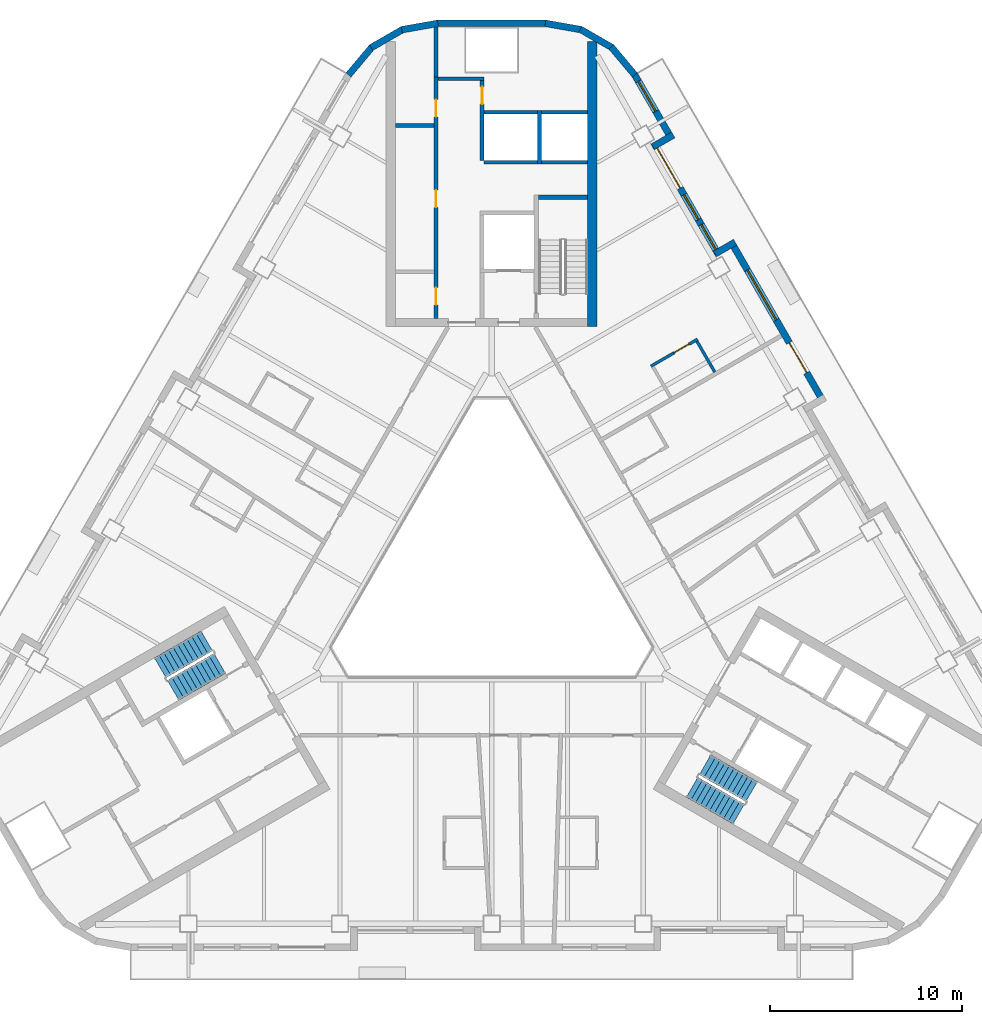
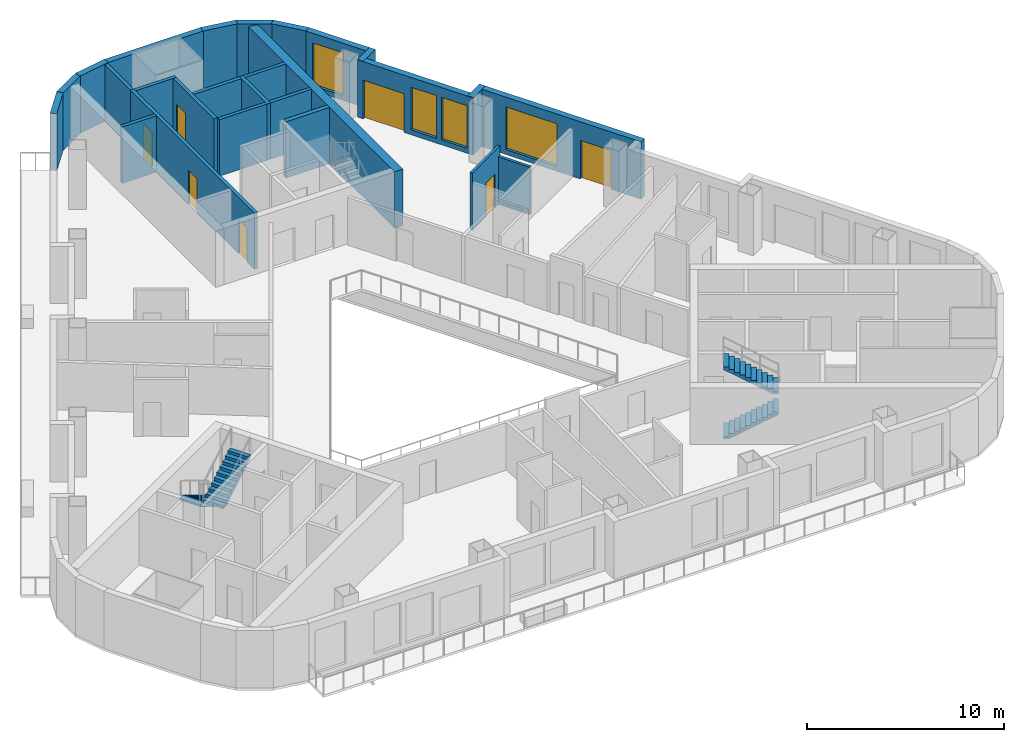
# One storey, part 7 of 14: 26 walls, 7 doors, 4 stair flights, 4 windows, 11 openings, 2 elements without a shape of their own.
"""IFC4 building model written with IfcOpenShell, lengths in metres."""

from ifc_helpers import new_model, si_unit, direction, frame, frame_2d, origin, place, context, subcontext, project, spatial, polyline, rectangle, outline, extrude, material, layer, layer_set, type_object, element, fill, aggregate, save


model = new_model("IFC4")

# Units and contexts
model_context = context("Model", 3, precision=1e-05, world=origin(), true_north=direction((0.0, 1.0)))
body_context = subcontext(model_context, "Body", "Model", "MODEL_VIEW")
ifc_project = project(units=[si_unit("LENGTHUNIT", "METRE"), si_unit("AREAUNIT", "SQUARE_METRE"), si_unit("VOLUMEUNIT", "CUBIC_METRE"), si_unit("PLANEANGLEUNIT", "RADIAN"), si_unit("MASSUNIT", "GRAM", prefix="KILO")], contexts=[model_context])

# Site, building, storey
site_placement = place(None, origin())
site = spatial("IfcSite", under=ifc_project, at=site_placement, CompositionType="ELEMENT")
building_placement = place(site_placement, origin())
building = spatial("IfcBuilding", under=site, at=building_placement, Name="Apuvela Tower Hotel", CompositionType="ELEMENT")
storey_placement = place(building_placement, frame((0.0, 0.0, 109.39990234375)))
storey = spatial("IfcBuildingStorey", under=building, at=storey_placement, Name="L25", CompositionType="ELEMENT", Elevation=109.39990234375)

# Walls
ifc_material_1 = material(Name="Concrete C50/60", Category="concrete")
ifc_layer_1 = layer(ifc_material_1, 0.5)
ifc_layer_set_1 = layer_set([ifc_layer_1], Name="COR-WALL-CORE-500")
wall_type_1 = type_object("IfcWallType", Name="COR-WALL-CORE-500", PredefinedType="SHEAR", material=ifc_layer_set_1)
wall_1_placement = place(storey_placement, frame((5.25, 12.89990234375, 0.0), z_axis=(0.0, 0.0, 1.0), x_axis=(0.0, 1.0, 0.0)))
element("IfcWall", 1, at=wall_1_placement, inside=storey, type_object=wall_type_1, Name="Core wall N", PredefinedType="SHEAR", context=body_context, shape_type="SweptSolid", body=[
    extrude(rectangle(XDim=14.8369140625, YDim=0.5, at=frame_2d((7.41845703125, 0.0))), origin(), (0.0, 0.0, 1.0), 3.5),
])
ifc_material_2 = material(Name="Blockwork 200 mm plastered", Category="masonry")
ifc_layer_2 = layer(ifc_material_2, 0.199951171875)
ifc_layer_set_2 = layer_set([ifc_layer_2], Name="COR-WALL-PART-200")
wall_type_2 = type_object("IfcWallType", Name="COR-WALL-PART-200", PredefinedType="PARTITIONING", material=ifc_layer_set_2)
wall_2_placement = place(storey_placement, frame((5.0, 21.449951171875, 0.0), z_axis=(0.0, 0.0, 1.0), x_axis=(-1.0, 0.0, 0.0)))
element("IfcWall", 2, at=wall_2_placement, inside=storey, type_object=wall_type_2, Name="Partition N", PredefinedType="PARTITIONING", context=body_context, shape_type="SweptSolid", body=[
    extrude(rectangle(XDim=2.39990234375, YDim=0.199951171875, at=frame_2d((1.199951171875, 0.0))), origin(), (0.0, 0.0, 1.0), 3.5),
])
wall_3_placement = place(storey_placement, frame((2.39990234375, 21.449951171875, 0.0), z_axis=(0.0, 0.0, 1.0), x_axis=(-1.0, 0.0, 0.0)))
element("IfcWall", 3, at=wall_3_placement, inside=storey, type_object=wall_type_2, Name="Partition N", PredefinedType="PARTITIONING", context=body_context, shape_type="SweptSolid", body=[
    extrude(rectangle(XDim=2.7998046875, YDim=0.199951171875, at=frame_2d((1.39990234375, 0.0))), origin(), (0.0, 0.0, 1.0), 3.5),
])

# Wall, openings, doors
ifc_layer_3 = layer(ifc_material_1, 0.199951171875)
ifc_layer_set_3 = layer_set([ifc_layer_3], Name="COR-WALL-SHAFT-200")
wall_type_3 = type_object("IfcWallType", Name="COR-WALL-SHAFT-200", PredefinedType="SHEAR", material=ifc_layer_set_3)
wall_4_placement = place(storey_placement, frame((-2.89990234375, 13.300048828125, 0.0), z_axis=(0.0, 0.0, 1.0), x_axis=(0.0, 1.0, 0.0)))
wall_4 = element("IfcWall", 4, at=wall_4_placement, inside=storey, type_object=wall_type_3, Name="Shaft wall N", PredefinedType="SHEAR", context=body_context, shape_type="SweptSolid", body=[
    extrude(rectangle(XDim=12.599853515625, YDim=0.199951171875, at=frame_2d((6.2998046875, 0.0))), origin(), (0.0, 0.0, 1.0), 3.5),
])
opening_1_placement = place(wall_4_placement, frame((0.719970703125, 0.0, 0.0)))
opening_1 = element("IfcOpeningElement", 5, at=opening_1_placement, cuts=wall_4, Name="Opening N-RE1", PredefinedType="OPENING", context=body_context, shape_type="SweptSolid", body=[
    extrude(rectangle(XDim=0.89990234375, YDim=2.10009765625, at=frame_2d((0.449951171875, 1.050048828125))), frame((0.0, 0.10986328125, 0.0), z_axis=(0.0, -1.0, 0.0), x_axis=(1.0, 0.0, 0.0)), (0.0, 0.0, 1.0), 0.219970703125),
])
opening_2_placement = place(wall_4_placement, frame((5.800048828125, 0.0, 0.0)))
opening_2 = element("IfcOpeningElement", 6, at=opening_2_placement, cuts=wall_4, Name="Opening N-RE2", PredefinedType="OPENING", context=body_context, shape_type="SweptSolid", body=[
    extrude(rectangle(XDim=0.89990234375, YDim=2.10009765625, at=frame_2d((0.449951171875, 1.050048828125))), frame((0.0, 0.10986328125, 0.0), z_axis=(0.0, -1.0, 0.0), x_axis=(1.0, 0.0, 0.0)), (0.0, 0.0, 1.0), 0.219970703125),
])
opening_3_placement = place(wall_4_placement, frame((10.510009765625, 0.0, 0.0)))
opening_3 = element("IfcOpeningElement", 7, at=opening_3_placement, cuts=wall_4, Name="Opening N-REP", PredefinedType="OPENING", context=body_context, shape_type="SweptSolid", body=[
    extrude(rectangle(XDim=0.89990234375, YDim=2.10009765625, at=frame_2d((0.449951171875, 1.050048828125))), frame((0.0, 0.10986328125, 0.0), z_axis=(0.0, -1.0, 0.0), x_axis=(1.0, 0.0, 0.0)), (0.0, 0.0, 1.0), 0.219970703125),
])
ifc_material_3 = material(Name="Steel fire door, powder coated", Category="steel")
door_type_1 = type_object("IfcDoorType", Name="COR-DR-900", OperationType="NOTDEFINED", PredefinedType="DOOR", material=ifc_material_3)
door_1_placement = place(opening_1_placement, origin())
door_1 = element("IfcDoor", 8, at=door_1_placement, inside=storey, type_object=door_type_1, Name="Store door N-RE1", OperationType="SINGLE_SWING_LEFT", OverallHeight=2.10009765625, OverallWidth=0.89990234375, PredefinedType="DOOR", context=body_context, shape_type="SweptSolid", body=[
    extrude(rectangle(XDim=0.89990234375, YDim=2.10009765625, at=frame_2d((0.449951171875, 1.050048828125))), frame((0.0, 0.02490234375, 0.0), z_axis=(0.0, -1.0, 0.0), x_axis=(1.0, 0.0, 0.0)), (0.0, 0.0, 1.0), 0.050048828125),
])
fill(opening_1, door_1)
door_2_placement = place(opening_2_placement, origin())
door_2 = element("IfcDoor", 9, at=door_2_placement, inside=storey, type_object=door_type_1, Name="Store door N-RE2", OperationType="SINGLE_SWING_RIGHT", OverallHeight=2.10009765625, OverallWidth=0.89990234375, PredefinedType="DOOR", context=body_context, shape_type="SweptSolid", body=[
    extrude(rectangle(XDim=0.89990234375, YDim=2.10009765625, at=frame_2d((0.449951171875, 1.050048828125))), frame((0.0, 0.02490234375, 0.0), z_axis=(0.0, -1.0, 0.0), x_axis=(1.0, 0.0, 0.0)), (0.0, 0.0, 1.0), 0.050048828125),
])
fill(opening_2, door_2)
door_3_placement = place(opening_3_placement, origin())
door_3 = element("IfcDoor", 10, at=door_3_placement, inside=storey, type_object=door_type_1, Name="Store door N-REP", OperationType="SINGLE_SWING_RIGHT", OverallHeight=2.10009765625, OverallWidth=0.89990234375, PredefinedType="DOOR", context=body_context, shape_type="SweptSolid", body=[
    extrude(rectangle(XDim=0.89990234375, YDim=2.10009765625, at=frame_2d((0.449951171875, 1.050048828125))), frame((0.0, 0.02490234375, 0.0), z_axis=(0.0, -1.0, 0.0), x_axis=(1.0, 0.0, 0.0)), (0.0, 0.0, 1.0), 0.050048828125),
])
fill(opening_3, door_3)

# Wall
wall_5_placement = place(storey_placement, frame((-0.39990234375, 25.800048828125, 0.0), z_axis=(0.0, 0.0, 1.0), x_axis=(-1.0, 0.0, 0.0)))
element("IfcWall", 11, at=wall_5_placement, inside=storey, type_object=wall_type_3, Name="Shaft wall N", PredefinedType="SHEAR", context=body_context, shape_type="SweptSolid", body=[
    extrude(rectangle(XDim=2.400146484375, YDim=0.199951171875, at=frame_2d((1.2001953125, 0.0))), origin(), (0.0, 0.0, 1.0), 3.5),
])

# Wall, opening, door
wall_6_placement = place(storey_placement, frame((-0.5, 21.550048828125, 0.0), z_axis=(0.0, 0.0, 1.0), x_axis=(0.0, 1.0, 0.0)))
wall_6 = element("IfcWall", 12, at=wall_6_placement, inside=storey, type_object=wall_type_3, Name="Shaft wall N", PredefinedType="SHEAR", context=body_context, shape_type="SweptSolid", body=[
    extrude(rectangle(XDim=4.14990234375, YDim=0.199951171875, at=frame_2d((2.074951171875, 0.0))), origin(), (0.0, 0.0, 1.0), 3.5),
])
opening_4_placement = place(wall_6_placement, frame((2.925048828125, 0.0, 0.0)))
opening_4 = element("IfcOpeningElement", 13, at=opening_4_placement, cuts=wall_6, Name="Opening N-RSP", PredefinedType="OPENING", context=body_context, shape_type="SweptSolid", body=[
    extrude(rectangle(XDim=0.89990234375, YDim=2.10009765625, at=frame_2d((0.449951171875, 1.050048828125))), frame((0.0, 0.10986328125, 0.0), z_axis=(0.0, -1.0, 0.0), x_axis=(1.0, 0.0, 0.0)), (0.0, 0.0, 1.0), 0.219970703125),
])
door_4_placement = place(opening_4_placement, frame((0.89990234375, 0.0, 0.0), z_axis=(0.0, 0.0, 1.0), x_axis=(-1.0, 0.0, 0.0)))
door_4 = element("IfcDoor", 14, at=door_4_placement, inside=storey, type_object=door_type_1, Name="Store door N-RSP", OperationType="SINGLE_SWING_LEFT", OverallHeight=2.10009765625, OverallWidth=0.89990234375, PredefinedType="DOOR", context=body_context, shape_type="SweptSolid", body=[
    extrude(rectangle(XDim=0.89990234375, YDim=2.10009765625, at=frame_2d((0.449951171875, 1.050048828125))), frame((0.0, 0.02490234375, 0.0), z_axis=(0.0, -1.0, 0.0), x_axis=(1.0, 0.0, 0.0)), (0.0, 0.0, 1.0), 0.050048828125),
])
fill(opening_4, door_4)

# Walls
wall_7_placement = place(storey_placement, frame((-3.0, 23.360107421875, 0.0), z_axis=(0.0, 0.0, 1.0), x_axis=(-1.0, 0.0, 0.0)))
element("IfcWall", 15, at=wall_7_placement, inside=storey, type_object=wall_type_3, Name="Shaft wall N", PredefinedType="SHEAR", context=body_context, shape_type="SweptSolid", body=[
    extrude(rectangle(XDim=2.0, YDim=0.199951171875, at=frame_2d((1.0, 0.0))), origin(), (0.0, 0.0, 1.0), 3.5),
])
wall_8_placement = place(storey_placement, frame((-2.89990234375, 25.89990234375, 0.0), z_axis=(0.0, 0.0, 1.0), x_axis=(0.0, 1.0, 0.0)))
element("IfcWall", 16, at=wall_8_placement, inside=storey, type_object=wall_type_3, Name="Shaft wall N", PredefinedType="SHEAR", context=body_context, shape_type="SweptSolid", body=[
    extrude(rectangle(XDim=2.60009765625, YDim=0.199951171875, at=frame_2d((1.300048828125, 0.0))), origin(), (0.0, 0.0, 1.0), 3.5),
])
wall_9_placement = place(storey_placement, frame((2.5, 21.35009765625, 0.0), z_axis=(0.0, 0.0, 1.0), x_axis=(0.0, 1.0, 0.0)))
element("IfcWall", 17, at=wall_9_placement, inside=storey, type_object=wall_type_3, Name="Shaft wall N", PredefinedType="SHEAR", context=body_context, shape_type="SweptSolid", body=[
    extrude(rectangle(XDim=2.7998046875, YDim=0.199951171875, at=frame_2d((1.39990234375, 0.0))), origin(), (0.0, 0.0, 1.0), 3.5),
])
wall_10_placement = place(storey_placement, frame((5.0, 24.050048828125, 0.0), z_axis=(0.0, 0.0, 1.0), x_axis=(-1.0, 0.0, 0.0)))
element("IfcWall", 18, at=wall_10_placement, inside=storey, type_object=wall_type_3, Name="Shaft wall N", PredefinedType="SHEAR", context=body_context, shape_type="SweptSolid", body=[
    extrude(rectangle(XDim=2.39990234375, YDim=0.199951171875, at=frame_2d((1.199951171875, 0.0))), origin(), (0.0, 0.0, 1.0), 3.5),
])
wall_11_placement = place(storey_placement, frame((2.39990234375, 24.050048828125, 0.0), z_axis=(0.0, 0.0, 1.0), x_axis=(-1.0, 0.0, 0.0)))
element("IfcWall", 19, at=wall_11_placement, inside=storey, type_object=wall_type_3, Name="Shaft wall N", PredefinedType="SHEAR", context=body_context, shape_type="SweptSolid", body=[
    extrude(rectangle(XDim=2.7998046875, YDim=0.199951171875, at=frame_2d((1.39990234375, 0.0))), origin(), (0.0, 0.0, 1.0), 3.5),
])
ifc_layer_4 = layer(ifc_material_1, 0.25)
ifc_layer_set_4 = layer_set([ifc_layer_4], Name="COR-WALL-STAIR-250")
wall_type_4 = type_object("IfcWallType", Name="COR-WALL-STAIR-250", PredefinedType="SHEAR", material=ifc_layer_set_4)
wall_12_placement = place(storey_placement, frame((5.0, 19.625, 0.0), z_axis=(0.0, 0.0, 1.0), x_axis=(-1.0, 0.0, 0.0)))
element("IfcWall", 20, at=wall_12_placement, inside=storey, type_object=wall_type_4, Name="Stair wall N", PredefinedType="SHEAR", context=body_context, shape_type="SweptSolid", body=[
    extrude(rectangle(XDim=2.550048828125, YDim=0.25, at=frame_2d((1.27490234375, 0.0))), origin(), (0.0, 0.0, 1.0), 3.5),
])

# Wall, openings, door, window
ifc_material_4 = material(Name="Concrete C40/50, dark pigmented precast panel", Category="concrete")
ifc_layer_5 = layer(ifc_material_4, 0.35009765625)
ifc_layer_set_5 = layer_set([ifc_layer_5], Name="ENV-WALL-350")
wall_type_5 = type_object("IfcWallType", Name="ENV-WALL-350", PredefinedType="SOLIDWALL", material=ifc_layer_set_5)
wall_13_placement = place(storey_placement, frame((17.298583984375, 8.947998046875, 0.0), z_axis=(0.0, 0.0, 1.0), x_axis=(-0.500010041276, 0.866019606374, 0.0)))
wall_13 = element("IfcWall", 21, at=wall_13_placement, inside=storey, type_object=wall_type_5, Name="External wall L25-37", PredefinedType="SOLIDWALL", context=body_context, shape_type="SweptSolid", body=[
    extrude(rectangle(XDim=9.699951171875, YDim=0.35009765625, at=frame_2d((4.85009765625, 0.0))), origin(), (0.0, 0.0, 1.0), 3.550048828125),
])
opening_5_placement = place(wall_13_placement, frame((1.77490234375, 0.0, 0.0)))
opening_5 = element("IfcOpeningElement", 22, at=opening_5_placement, cuts=wall_13, Name="Opening BD18", PredefinedType="OPENING", context=body_context, shape_type="SweptSolid", body=[
    extrude(rectangle(XDim=1.800048828125, YDim=2.39990234375, at=frame_2d((0.89990234375, 1.199951171875))), frame((0.0, 0.18505859375, 0.0), z_axis=(0.0, -1.0, 0.0), x_axis=(1.0, 0.0, 0.0)), (0.0, 0.0, 1.0), 0.3701171875),
])
opening_6_placement = place(wall_13_placement, frame((4.94921875, 0.0, 0.300048828125)))
opening_6 = element("IfcOpeningElement", 23, at=opening_6_placement, cuts=wall_13, Name="Opening WN30", PredefinedType="OPENING", context=body_context, shape_type="SweptSolid", body=[
    extrude(rectangle(XDim=3.0, YDim=2.64990234375, at=frame_2d((1.5, 1.324951171875))), frame((0.0, 0.18505859375, 0.0), z_axis=(0.0, -1.0, 0.0), x_axis=(1.0, 0.0, 0.0)), (0.0, 0.0, 1.0), 0.3701171875),
])
ifc_material_5 = material(Name="Aluminium 6063-T6, dark bronze anodised frame with dark tinted laminated glass", Category="aluminium")
door_type_2 = type_object("IfcDoorType", Name="ENV-DOOR-BALCONY-1800x2400", OperationType="SLIDING_TO_LEFT", PredefinedType="DOOR", material=ifc_material_5)
door_5_placement = place(opening_5_placement, frame((1.800048828125, 0.0, 0.0), z_axis=(0.0, 0.0, 1.0), x_axis=(-1.0, 0.0, 0.0)))
door_5 = element("IfcDoor", 24, at=door_5_placement, inside=storey, type_object=door_type_2, Name="Balcony door BD18", OperationType="SLIDING_TO_LEFT", OverallHeight=2.39990234375, OverallWidth=1.800048828125, PredefinedType="DOOR", context=body_context, shape_type="SweptSolid", body=[
    extrude(rectangle(XDim=1.800048828125, YDim=2.39990234375, at=frame_2d((0.89990234375, 1.199951171875))), frame((0.0, 0.02490234375, 0.0), z_axis=(0.0, -1.0, 0.0), x_axis=(1.0, 0.0, 0.0)), (0.0, 0.0, 1.0), 0.050048828125),
])
fill(opening_5, door_5)
ifc_material_6 = material(Name="Glass, dark tinted laminated insulated glazing unit", Category="glass")
window_type_1 = type_object("IfcWindowType", Name="ENV-WIN-3000x2650", PartitioningType="SINGLE_PANEL", PredefinedType="WINDOW", material=ifc_material_6)
window_1_placement = place(opening_6_placement, origin())
window_1 = element("IfcWindow", 25, at=window_1_placement, inside=storey, type_object=window_type_1, Name="Window WN30", OverallHeight=2.64990234375, OverallWidth=3.0, PartitioningType="SINGLE_PANEL", PredefinedType="WINDOW", context=body_context, shape_type="SweptSolid", body=[
    extrude(rectangle(XDim=3.0, YDim=2.64990234375, at=frame_2d((1.5, 1.324951171875))), frame((0.0, 0.030029296875, 0.0), z_axis=(0.0, -1.0, 0.0), x_axis=(1.0, 0.0, 0.0)), (0.0, 0.0, 1.0), 0.06005859375),
])
fill(opening_6, window_1)

# Wall
wall_14_placement = place(storey_placement, frame((12.6875, 17.284423828125, 0.0), z_axis=(0.0, 0.0, 1.0), x_axis=(-0.865955602162, -0.500120880472, 0.0)))
element("IfcWall", 26, at=wall_14_placement, inside=storey, type_object=wall_type_5, Name="External wall L25-38", PredefinedType="SOLIDWALL", context=body_context, shape_type="SweptSolid", body=[
    extrude(rectangle(XDim=1.219970703125, YDim=0.35009765625, at=frame_2d((0.60986328125, 0.0))), origin(), (0.0, 0.0, 1.0), 3.550048828125),
])

# Wall, openings, door, windows
wall_15_placement = place(storey_placement, frame((11.8291015625, 16.621337890625, 0.0), z_axis=(0.0, 0.0, 1.0), x_axis=(-0.500003597184, 0.866023326939, 0.0)))
wall_15 = element("IfcWall", 27, at=wall_15_placement, inside=storey, type_object=wall_type_5, Name="External wall L25-39", PredefinedType="SOLIDWALL", context=body_context, shape_type="SweptSolid", body=[
    extrude(rectangle(XDim=6.740234375, YDim=0.35009765625, at=frame_2d((3.3701171875, 0.0))), origin(), (0.0, 0.0, 1.0), 3.550048828125),
])
opening_7_placement = place(wall_15_placement, frame((4.01953125, 0.0, 0.0)))
opening_7 = element("IfcOpeningElement", 28, at=opening_7_placement, cuts=wall_15, Name="Opening BD24", PredefinedType="OPENING", context=body_context, shape_type="SweptSolid", body=[
    extrude(rectangle(XDim=2.39990234375, YDim=2.39990234375, at=frame_2d((1.199951171875, 1.199951171875))), frame((0.0, 0.18505859375, 0.0), z_axis=(0.0, -1.0, 0.0), x_axis=(1.0, 0.0, 0.0)), (0.0, 0.0, 1.0), 0.3701171875),
])
opening_8_placement = place(wall_15_placement, frame((0.320068359375, 0.0, 0.300048828125)))
opening_8 = element("IfcOpeningElement", 29, at=opening_8_placement, cuts=wall_15, Name="Opening WN15", PredefinedType="OPENING", context=body_context, shape_type="SweptSolid", body=[
    extrude(rectangle(XDim=1.5, YDim=2.64990234375, at=frame_2d((0.75, 1.324951171875))), frame((0.0, 0.18505859375, 0.0), z_axis=(0.0, -1.0, 0.0), x_axis=(1.0, 0.0, 0.0)), (0.0, 0.0, 1.0), 0.3701171875),
])
opening_9_placement = place(wall_15_placement, frame((2.1201171875, 0.0, 0.300048828125)))
opening_9 = element("IfcOpeningElement", 30, at=opening_9_placement, cuts=wall_15, Name="Opening WN15", PredefinedType="OPENING", context=body_context, shape_type="SweptSolid", body=[
    extrude(rectangle(XDim=1.5, YDim=2.64990234375, at=frame_2d((0.75, 1.324951171875))), frame((0.0, 0.18505859375, 0.0), z_axis=(0.0, -1.0, 0.0), x_axis=(1.0, 0.0, 0.0)), (0.0, 0.0, 1.0), 0.3701171875),
])
door_type_3 = type_object("IfcDoorType", Name="ENV-DOOR-BALCONY-2400x2400", OperationType="SLIDING_TO_LEFT", PredefinedType="DOOR", material=ifc_material_5)
door_6_placement = place(opening_7_placement, frame((2.39990234375, 0.0, 0.0), z_axis=(0.0, 0.0, 1.0), x_axis=(-1.0, 0.0, 0.0)))
door_6 = element("IfcDoor", 31, at=door_6_placement, inside=storey, type_object=door_type_3, Name="Balcony door BD24", OperationType="SLIDING_TO_LEFT", OverallHeight=2.39990234375, OverallWidth=2.39990234375, PredefinedType="DOOR", context=body_context, shape_type="SweptSolid", body=[
    extrude(rectangle(XDim=2.39990234375, YDim=2.39990234375, at=frame_2d((1.199951171875, 1.199951171875))), frame((0.0, 0.02490234375, 0.0), z_axis=(0.0, -1.0, 0.0), x_axis=(1.0, 0.0, 0.0)), (0.0, 0.0, 1.0), 0.050048828125),
])
fill(opening_7, door_6)
window_type_2 = type_object("IfcWindowType", Name="ENV-WIN-1500x2650", PartitioningType="SINGLE_PANEL", PredefinedType="WINDOW", material=ifc_material_6)
window_2_placement = place(opening_8_placement, origin())
window_2 = element("IfcWindow", 32, at=window_2_placement, inside=storey, type_object=window_type_2, Name="Window WN15", OverallHeight=2.64990234375, OverallWidth=1.5, PartitioningType="SINGLE_PANEL", PredefinedType="WINDOW", context=body_context, shape_type="SweptSolid", body=[
    extrude(rectangle(XDim=1.5, YDim=2.64990234375, at=frame_2d((0.75, 1.324951171875))), frame((0.0, 0.030029296875, 0.0), z_axis=(0.0, -1.0, 0.0), x_axis=(1.0, 0.0, 0.0)), (0.0, 0.0, 1.0), 0.06005859375),
])
fill(opening_8, window_2)
window_3_placement = place(opening_9_placement, origin())
window_3 = element("IfcWindow", 33, at=window_3_placement, inside=storey, type_object=window_type_2, Name="Window WN15", OverallHeight=2.64990234375, OverallWidth=1.5, PartitioningType="SINGLE_PANEL", PredefinedType="WINDOW", context=body_context, shape_type="SweptSolid", body=[
    extrude(rectangle(XDim=1.5, YDim=2.64990234375, at=frame_2d((0.75, 1.324951171875))), frame((0.0, 0.030029296875, 0.0), z_axis=(0.0, -1.0, 0.0), x_axis=(1.0, 0.0, 0.0)), (0.0, 0.0, 1.0), 0.06005859375),
])
fill(opening_9, window_3)

# Wall
wall_16_placement = place(storey_placement, frame((8.406005859375, 22.26025390625, 0.0), z_axis=(0.0, 0.0, 1.0), x_axis=(0.865955602162, 0.500120880472, 0.0)))
element("IfcWall", 34, at=wall_16_placement, inside=storey, type_object=wall_type_5, Name="External wall L25-40", PredefinedType="SOLIDWALL", context=body_context, shape_type="SweptSolid", body=[
    extrude(rectangle(XDim=1.219970703125, YDim=0.35009765625, at=frame_2d((0.60986328125, 0.0))), origin(), (0.0, 0.0, 1.0), 3.550048828125),
])

# Wall, opening, window
wall_17_placement = place(storey_placement, frame((9.3984375, 22.631103515625, 0.0), z_axis=(0.0, 0.0, 1.0), x_axis=(-0.499954521343, 0.866051659307, 0.0)))
wall_17 = element("IfcWall", 35, at=wall_17_placement, inside=storey, type_object=wall_type_5, Name="External wall L25-41", PredefinedType="SOLIDWALL", context=body_context, shape_type="SweptSolid", body=[
    extrude(rectangle(XDim=3.915771484375, YDim=0.35009765625, at=frame_2d((1.9580078125, 0.0))), origin(), (0.0, 0.0, 1.0), 3.550048828125),
])
opening_10_placement = place(wall_17_placement, frame((1.69970703125, 0.0, 0.300048828125)))
opening_10 = element("IfcOpeningElement", 36, at=opening_10_placement, cuts=wall_17, Name="Opening WN18", PredefinedType="OPENING", context=body_context, shape_type="SweptSolid", body=[
    extrude(rectangle(XDim=1.800048828125, YDim=2.64990234375, at=frame_2d((0.89990234375, 1.324951171875))), frame((0.0, 0.18505859375, 0.0), z_axis=(0.0, -1.0, 0.0), x_axis=(1.0, 0.0, 0.0)), (0.0, 0.0, 1.0), 0.3701171875),
])
window_type_3 = type_object("IfcWindowType", Name="ENV-WIN-1800x2650", PartitioningType="SINGLE_PANEL", PredefinedType="WINDOW", material=ifc_material_6)
window_4_placement = place(opening_10_placement, origin())
window_4 = element("IfcWindow", 37, at=window_4_placement, inside=storey, type_object=window_type_3, Name="Window WN18", OverallHeight=2.64990234375, OverallWidth=1.800048828125, PartitioningType="SINGLE_PANEL", PredefinedType="WINDOW", context=body_context, shape_type="SweptSolid", body=[
    extrude(rectangle(XDim=1.800048828125, YDim=2.64990234375, at=frame_2d((0.89990234375, 1.324951171875))), frame((0.0, 0.030029296875, 0.0), z_axis=(0.0, -1.0, 0.0), x_axis=(1.0, 0.0, 0.0)), (0.0, 0.0, 1.0), 0.06005859375),
])
fill(opening_10, window_4)

# Walls
wall_18_placement = place(storey_placement, frame((7.4580078125, 25.99755859375, 0.0), z_axis=(0.0, 0.0, 1.0), x_axis=(-0.642808304945, 0.766027077259, 0.0)))
element("IfcWall", 38, at=wall_18_placement, inside=storey, type_object=wall_type_5, Name="External wall L25-42", PredefinedType="SOLIDWALL", context=body_context, shape_type="SweptSolid", body=[
    extrude(rectangle(XDim=1.909912109375, YDim=0.35009765625, at=frame_2d((0.955078125, 0.0))), origin(), (0.0, 0.0, 1.0), 3.550048828125),
])
for number, where, z_axis, x_axis, name in (
    (39, (6.27685546875, 27.421630859375, 0.0), (0.0, 0.0, 1.0), (-0.866032345022, 0.499987977232, 0.0), "External wall L25-43"),
    (40, (4.6796875, 28.35595703125, 0.0), (0.0, 0.0, 1.0), (-0.984798995425, 0.173697837091, 0.0), "External wall L25-44"),
):
    element("IfcWall", number, at=place(storey_placement, frame(where, z_axis=z_axis, x_axis=x_axis)), inside=storey, type_object=wall_type_5, Name=name, PredefinedType="SOLIDWALL", context=body_context, shape_type="SweptSolid", body=[
        extrude(rectangle(XDim=1.91015625, YDim=0.35009765625, at=frame_2d((0.955078125, 0.0))), origin(), (0.0, 0.0, 1.0), 3.550048828125),
    ])
wall_19_placement = place(storey_placement, frame((2.8291015625, 28.68505859375, 0.0), z_axis=(0.0, 0.0, 1.0), x_axis=(-1.0, 0.0, 0.0)))
element("IfcWall", 41, at=wall_19_placement, inside=storey, type_object=wall_type_5, Name="External wall L25-45", PredefinedType="SOLIDWALL", context=body_context, shape_type="SweptSolid", body=[
    extrude(rectangle(XDim=5.658203125, YDim=0.35009765625, at=frame_2d((2.8291015625, 0.0))), origin(), (0.0, 0.0, 1.0), 3.550048828125),
])
for number, where, z_axis, x_axis, name in (
    (42, (-2.798583984375, 28.687744140625, 0.0), (0.0, 0.0, 1.0), (-0.984798995425, -0.173697837091, 0.0), "External wall L25-46"),
    (43, (-4.62255859375, 28.376708984375, 0.0), (0.0, 0.0, 1.0), (-0.866032345022, -0.499987977232, 0.0), "External wall L25-47"),
):
    element("IfcWall", number, at=place(storey_placement, frame(where, z_axis=z_axis, x_axis=x_axis)), inside=storey, type_object=wall_type_5, Name=name, PredefinedType="SOLIDWALL", context=body_context, shape_type="SweptSolid", body=[
        extrude(rectangle(XDim=1.91015625, YDim=0.35009765625, at=frame_2d((0.955078125, 0.0))), origin(), (0.0, 0.0, 1.0), 3.550048828125),
    ])
wall_20_placement = place(storey_placement, frame((-6.230224609375, 27.460693359375, 0.0), z_axis=(0.0, 0.0, 1.0), x_axis=(-0.642808304945, -0.766027077259, 0.0)))
element("IfcWall", 44, at=wall_20_placement, inside=storey, type_object=wall_type_5, Name="External wall L25-48", PredefinedType="SOLIDWALL", context=body_context, shape_type="SweptSolid", body=[
    extrude(rectangle(XDim=1.909912109375, YDim=0.35009765625, at=frame_2d((0.955078125, 0.0))), origin(), (0.0, 0.0, 1.0), 3.550048828125),
])

# Wall, opening, door
ifc_material_7 = material(Name="Moisture-resistant gypsum board wet wall on steel stud", Category="steel")
ifc_layer_6 = layer(ifc_material_7, 0.14990234375)
ifc_layer_set_6 = layer_set([ifc_layer_6], Name="GST-PW3")
wall_type_6 = type_object("IfcWallType", Name="GST-PW3", PredefinedType="PARTITIONING", material=ifc_layer_set_6)
wall_21_placement = place(storey_placement, frame((10.724365234375, 12.22509765625, 0.0), z_axis=(0.0, 0.0, 1.0), x_axis=(-0.866018616679, -0.500011755427, 0.0)))
wall_21 = element("IfcWall", 45, at=wall_21_placement, inside=storey, type_object=wall_type_6, Name="L25 partition 30", PredefinedType="PARTITIONING", context=body_context, shape_type="SweptSolid", body=[
    extrude(rectangle(XDim=2.80029296875, YDim=0.14990234375, at=frame_2d((1.400146484375, 0.0))), origin(), (0.0, 0.0, 1.0), 3.550048828125),
])
opening_11_placement = place(wall_21_placement, frame((0.5, 0.0, 0.0)))
opening_11 = element("IfcOpeningElement", 46, at=opening_11_placement, cuts=wall_21, Name="Opening GD09-13", PredefinedType="OPENING", context=body_context, shape_type="SweptSolid", body=[
    extrude(rectangle(XDim=0.89990234375, YDim=2.10009765625, at=frame_2d((0.449951171875, 1.050048828125))), frame((0.0, 0.0849609375, 0.0), z_axis=(0.0, -1.0, 0.0), x_axis=(1.0, 0.0, 0.0)), (0.0, 0.0, 1.0), 0.169921875),
])
ifc_material_8 = material(Name="Timber door leaf in steel frame", Category="steel")
door_type_4 = type_object("IfcDoorType", Name="GST-D2", OperationType="NOTDEFINED", PredefinedType="DOOR", material=ifc_material_8)
door_7_placement = place(opening_11_placement, origin())
door_7 = element("IfcDoor", 47, at=door_7_placement, inside=storey, type_object=door_type_4, Name="Door L25-13", OperationType="SINGLE_SWING_LEFT", OverallHeight=2.10009765625, OverallWidth=0.89990234375, PredefinedType="DOOR", context=body_context, shape_type="SweptSolid", body=[
    extrude(rectangle(XDim=0.89990234375, YDim=2.10009765625, at=frame_2d((0.449951171875, 1.050048828125))), frame((0.0, 0.02490234375, 0.0), z_axis=(0.0, -1.0, 0.0), x_axis=(1.0, 0.0, 0.0)), (0.0, 0.0, 1.0), 0.050048828125),
])
fill(opening_11, door_7)

# Wall
wall_22_placement = place(storey_placement, frame((11.621826171875, 10.5205078125, 0.0), z_axis=(0.0, 0.0, 1.0), x_axis=(-0.500042316284, 0.866000971088, 0.0)))
element("IfcWall", 48, at=wall_22_placement, inside=storey, type_object=wall_type_6, Name="L25 partition 31", PredefinedType="PARTITIONING", context=body_context, shape_type="SweptSolid", body=[
    extrude(rectangle(XDim=1.849853515625, YDim=0.14990234375, at=frame_2d((0.9248046875, 0.0))), origin(), (0.0, 0.0, 1.0), 2.9501953125),
])

# Stair, stair flights
stair_type = type_object("IfcStairType", Name="COR-STAIR-22R", PredefinedType="HALF_TURN_STAIR", material=ifc_material_1)
stair_1_placement = place(storey_placement, origin())
stair_1 = element("IfcStair", 49, at=stair_1_placement, inside=storey, type_object=stair_type, Name="L25 Exit stair ST2", PredefinedType="HALF_TURN_STAIR")
stair_flight_type = type_object("IfcStairFlightType", Name="COR-FLIGHT-11R", PredefinedType="STRAIGHT", material=ifc_material_1)
stair_flight_1_placement = place(storey_placement, frame((-14.843994140625, -3.489501953125, 0.0), z_axis=(0.0, 0.0, 1.0), x_axis=(-0.866025403784, -0.5, 0.0)))
stair_flight_1 = element("IfcStairFlight", 50, at=stair_flight_1_placement, type_object=stair_flight_type, Name="ST2 flight 1", NumberOfRisers=11, NumberOfTreads=10, PredefinedType="STRAIGHT", RiserHeight=0.168181818, TreadLength=0.28, context=body_context, shape_type="SweptSolid", body=[
    extrude(outline(polyline([(0.0, 0.0), (0.0, 0.168212890625), (0.280029296875, 0.168212890625), (0.280029296875, 0.33642578125), (0.56005859375, 0.33642578125), (0.56005859375, 0.504638671875), (0.840087890625, 0.504638671875), (0.840087890625, 0.672607421875), (1.1201171875, 0.672607421875), (1.1201171875, 0.8408203125), (1.39990234375, 0.8408203125), (1.39990234375, 1.009033203125), (1.679931640625, 1.009033203125), (1.679931640625, 1.17724609375), (1.9599609375, 1.17724609375), (1.9599609375, 1.345458984375), (2.239990234375, 1.345458984375), (2.239990234375, 1.513671875), (2.52001953125, 1.513671875), (2.52001953125, 1.681884765625), (2.800048828125, 1.681884765625), (2.800048828125, 1.85009765625), (2.800048828125, 1.5068359375), (0.291015625, 0.0), (0.0, 0.0)])), frame((0.0, 0.60009765625, 0.0), z_axis=(0.0, -1.0, 0.0), x_axis=(1.0, 0.0, 0.0)), (0.0, 0.0, 1.0), 1.199951171875),
])
stair_flight_2_placement = place(storey_placement, frame((-16.59375, -6.05859375, 1.85009765625), z_axis=(0.0, 0.0, 1.0), x_axis=(0.866025403784, 0.5, 0.0)))
stair_flight_2 = element("IfcStairFlight", 51, at=stair_flight_2_placement, type_object=stair_flight_type, Name="ST2 flight 2", NumberOfRisers=11, NumberOfTreads=10, PredefinedType="STRAIGHT", RiserHeight=0.168181818, TreadLength=0.28, context=body_context, shape_type="SweptSolid", body=[
    extrude(outline(polyline([(0.0, 0.0), (0.0, 0.168212890625), (0.280029296875, 0.168212890625), (0.280029296875, 0.33642578125), (0.56005859375, 0.33642578125), (0.56005859375, 0.504638671875), (0.840087890625, 0.504638671875), (0.840087890625, 0.672607421875), (1.1201171875, 0.672607421875), (1.1201171875, 0.8408203125), (1.39990234375, 0.8408203125), (1.39990234375, 1.009033203125), (1.679931640625, 1.009033203125), (1.679931640625, 1.17724609375), (1.9599609375, 1.17724609375), (1.9599609375, 1.345458984375), (2.239990234375, 1.345458984375), (2.239990234375, 1.513671875), (2.52001953125, 1.513671875), (2.52001953125, 1.681884765625), (2.800048828125, 1.681884765625), (2.800048828125, 1.85009765625), (2.800048828125, 1.5068359375), (0.291015625, 0.0), (0.0, 0.0)])), frame((0.0, 0.60009765625, 0.0), z_axis=(0.0, -1.0, 0.0), x_axis=(1.0, 0.0, 0.0)), (0.0, 0.0, 1.0), 1.199951171875),
])
aggregate(stair_1, [stair_flight_1, stair_flight_2])

stair_2_placement = place(storey_placement, origin())
stair_2 = element("IfcStair", 52, at=stair_2_placement, inside=storey, type_object=stair_type, Name="L25 Exit stair ST3", PredefinedType="HALF_TURN_STAIR")
stair_flight_3_placement = place(storey_placement, frame((10.444091796875, -11.110595703125, 0.0), z_axis=(0.0, 0.0, 1.0), x_axis=(0.866025403784, -0.5, 0.0)))
stair_flight_3 = element("IfcStairFlight", 53, at=stair_flight_3_placement, type_object=stair_flight_type, Name="ST3 flight 1", NumberOfRisers=11, NumberOfTreads=10, PredefinedType="STRAIGHT", RiserHeight=0.168181818, TreadLength=0.28, context=body_context, shape_type="SweptSolid", body=[
    extrude(outline(polyline([(0.0, 0.0), (0.0, 0.168212890625), (0.280029296875, 0.168212890625), (0.280029296875, 0.33642578125), (0.56005859375, 0.33642578125), (0.56005859375, 0.504638671875), (0.840087890625, 0.504638671875), (0.840087890625, 0.672607421875), (1.1201171875, 0.672607421875), (1.1201171875, 0.8408203125), (1.39990234375, 0.8408203125), (1.39990234375, 1.009033203125), (1.679931640625, 1.009033203125), (1.679931640625, 1.17724609375), (1.9599609375, 1.17724609375), (1.9599609375, 1.345458984375), (2.239990234375, 1.345458984375), (2.239990234375, 1.513671875), (2.52001953125, 1.513671875), (2.52001953125, 1.681884765625), (2.800048828125, 1.681884765625), (2.800048828125, 1.85009765625), (2.800048828125, 1.5068359375), (0.291015625, 0.0), (0.0, 0.0)])), frame((0.0, 0.60009765625, 0.0), z_axis=(0.0, -1.0, 0.0), x_axis=(1.0, 0.0, 0.0)), (0.0, 0.0, 1.0), 1.199951171875),
])
stair_flight_4_placement = place(storey_placement, frame((13.5439453125, -11.34130859375, 1.85009765625), z_axis=(0.0, 0.0, 1.0), x_axis=(-0.866025403784, 0.5, 0.0)))
stair_flight_4 = element("IfcStairFlight", 54, at=stair_flight_4_placement, type_object=stair_flight_type, Name="ST3 flight 2", NumberOfRisers=11, NumberOfTreads=10, PredefinedType="STRAIGHT", RiserHeight=0.168181818, TreadLength=0.28, context=body_context, shape_type="SweptSolid", body=[
    extrude(outline(polyline([(0.0, 0.0), (0.0, 0.168212890625), (0.280029296875, 0.168212890625), (0.280029296875, 0.33642578125), (0.56005859375, 0.33642578125), (0.56005859375, 0.504638671875), (0.840087890625, 0.504638671875), (0.840087890625, 0.672607421875), (1.1201171875, 0.672607421875), (1.1201171875, 0.8408203125), (1.39990234375, 0.8408203125), (1.39990234375, 1.009033203125), (1.679931640625, 1.009033203125), (1.679931640625, 1.17724609375), (1.9599609375, 1.17724609375), (1.9599609375, 1.345458984375), (2.239990234375, 1.345458984375), (2.239990234375, 1.513671875), (2.52001953125, 1.513671875), (2.52001953125, 1.681884765625), (2.800048828125, 1.681884765625), (2.800048828125, 1.85009765625), (2.800048828125, 1.5068359375), (0.291015625, 0.0), (0.0, 0.0)])), frame((0.0, 0.60009765625, 0.0), z_axis=(0.0, -1.0, 0.0), x_axis=(1.0, 0.0, 0.0)), (0.0, 0.0, 1.0), 1.199951171875),
])
aggregate(stair_2, [stair_flight_3, stair_flight_4])

save(model, "model.ifc")
